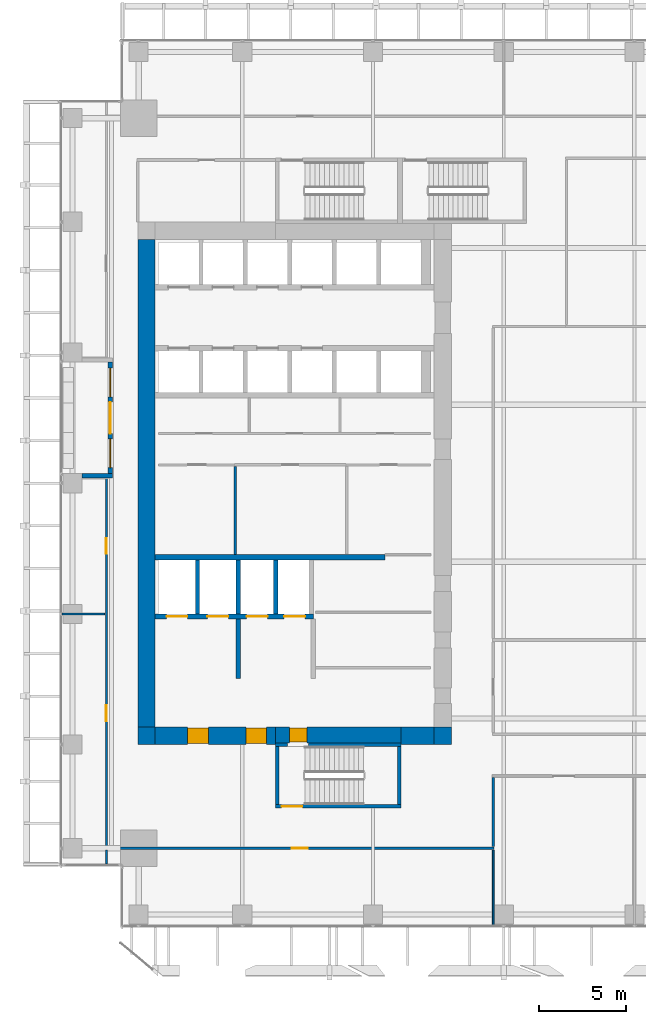
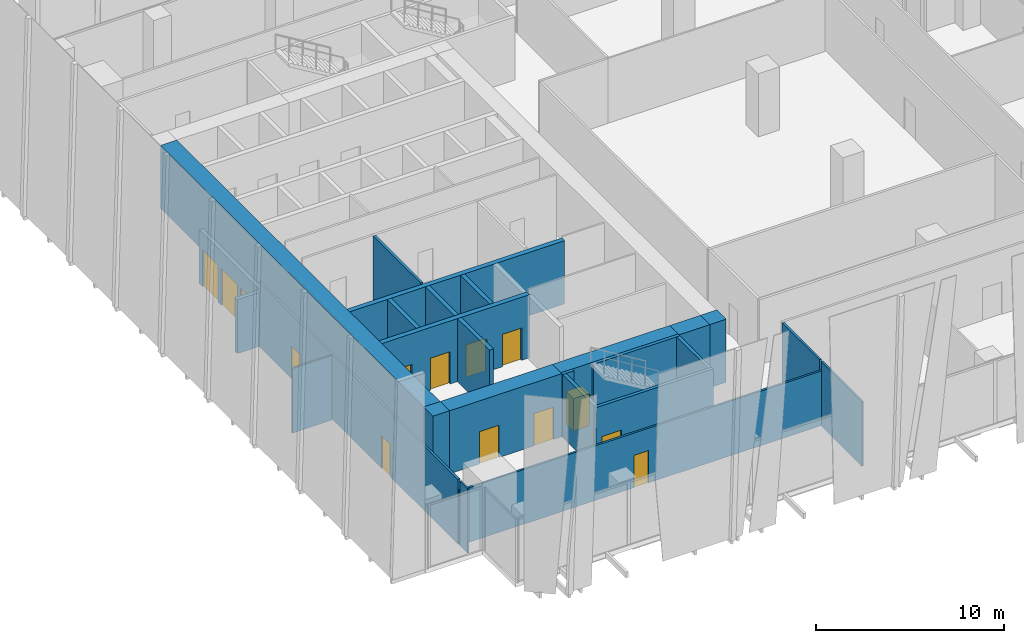
# One storey, part 27 of 35: 26 walls, 12 doors, 2 windows, 14 openings.
"""IFC4 building model written with IfcOpenShell, lengths in metres."""

from ifc_helpers import new_model, si_unit, direction, frame, frame_2d, origin, place, context, subcontext, project, spatial, rectangle, extrude, source, transform, mapped, material, layer, layer_set, type_object, element, fill, save


model = new_model("IFC4")

# Units and contexts
model_context = context("Model", 3, precision=1e-05, world=origin(), true_north=direction((0.0, 1.0)))
body_context = subcontext(model_context, "Body", "Model", "MODEL_VIEW")
ifc_project = project(units=[si_unit("LENGTHUNIT", "METRE"), si_unit("AREAUNIT", "SQUARE_METRE"), si_unit("VOLUMEUNIT", "CUBIC_METRE"), si_unit("PLANEANGLEUNIT", "RADIAN"), si_unit("MASSUNIT", "GRAM", prefix="KILO")], contexts=[model_context])

# Site, building, storey
site_placement = place(None, origin())
site = spatial("IfcSite", under=ifc_project, at=site_placement, CompositionType="ELEMENT")
building_placement = place(site_placement, origin())
building = spatial("IfcBuilding", under=site, at=building_placement, Name="Khomas Fold Tower", CompositionType="ELEMENT")
storey_placement = place(building_placement, frame((0.0, 0.0, 127.89990234375)))
storey = spatial("IfcBuildingStorey", under=building, at=storey_placement, Name="L27", CompositionType="ELEMENT", Elevation=127.89990234375)

# Wall, openings, doors
ifc_material_1 = material(Name="Concrete C70/85", Category="concrete")
ifc_layer_1 = layer(ifc_material_1, 1.0)
ifc_layer_set_1 = layer_set([ifc_layer_1], Name="Concrete C70/85")
wall_type_1 = type_object("IfcWallType", Name="Core wall 1000", PredefinedType="SHEAR", material=ifc_layer_set_1)
shared_shape_1 = source(origin(), body_context, "Body", "SweptSolid", [
    extrude(rectangle(XDim=6.89990234375, YDim=1.0, at=frame_2d((3.449951171875, 0.0))), origin(), (0.0, 0.0, 1.0), 4.10009765625),
])
wall_1_placement = place(storey_placement, frame((7.0, 12.5, 0.0), z_axis=(0.0, 0.0, 1.0), x_axis=(1.0, 0.0, 0.0)))
wall_1 = element("IfcWall", 1, at=wall_1_placement, inside=storey, type_object=wall_type_1, Name="Core wall CW-L-S-L21", PredefinedType="SHEAR", context=body_context, shape_type="MappedRepresentation", body=[
    mapped(shared_shape_1, transform((0.0, 0.0, 0.0))),
])
shared_shape_2 = source(origin(), body_context, "Body", "SweptSolid", [
    extrude(rectangle(XDim=1.199951171875, YDim=2.10009765625, at=frame_2d((0.60009765625, 1.050048828125))), frame((0.0, 0.510009765625, 0.0), z_axis=(0.0, -1.0, 0.0), x_axis=(1.0, 0.0, 0.0)), (0.0, 0.0, 1.0), 1.02001953125),
])
opening_1_placement = place(wall_1_placement, frame((5.199951171875, 0.0, 0.0)))
opening_1 = element("IfcOpeningElement", 2, at=opening_1_placement, cuts=wall_1, Name="Opening 0009", PredefinedType="OPENING", context=body_context, shape_type="MappedRepresentation", body=[
    mapped(shared_shape_2, transform((0.0, 0.0, 0.0))),
])
opening_2_placement = place(wall_1_placement, frame((1.85009765625, 0.0, 0.0)))
opening_2 = element("IfcOpeningElement", 3, at=opening_2_placement, cuts=wall_1, Name="Opening 0009", PredefinedType="OPENING", context=body_context, shape_type="MappedRepresentation", body=[
    mapped(shared_shape_2, transform((0.0, 0.0, 0.0))),
])
ifc_material_2 = material(Name="Steel door leaf", Category="steel")
door_type_1 = type_object("IfcDoorType", Name="Lobby door 1200x2100 right-hand", OperationType="SINGLE_SWING_RIGHT", PredefinedType="DOOR", material=ifc_material_2)
shared_shape_3 = source(origin(), body_context, "Body", "SweptSolid", [
    extrude(rectangle(XDim=1.199951171875, YDim=2.10009765625, at=frame_2d((0.60009765625, 1.050048828125))), frame((0.0, 0.449951171875, 0.0), z_axis=(0.0, -1.0, 0.0), x_axis=(1.0, 0.0, 0.0)), (0.0, 0.0, 1.0), 0.89990234375),
])
door_1_placement = place(opening_1_placement, origin())
door_1 = element("IfcDoor", 4, at=door_1_placement, inside=storey, type_object=door_type_1, Name="Lobby door", OperationType="SINGLE_SWING_RIGHT", OverallHeight=2.10009765625, OverallWidth=1.199951171875, PredefinedType="DOOR", context=body_context, shape_type="MappedRepresentation", body=[
    mapped(shared_shape_3, transform((0.0, 0.0, 0.0))),
])
fill(opening_1, door_1)
door_2_placement = place(opening_2_placement, origin())
door_2 = element("IfcDoor", 5, at=door_2_placement, inside=storey, type_object=door_type_1, Name="Lobby door", OperationType="SINGLE_SWING_RIGHT", OverallHeight=2.10009765625, OverallWidth=1.199951171875, PredefinedType="DOOR", context=body_context, shape_type="MappedRepresentation", body=[
    mapped(shared_shape_3, transform((0.0, 0.0, 0.0))),
])
fill(opening_2, door_2)

# Walls
ifc_material_3 = material(Name="Concrete C70/85", Category="concrete")
ifc_layer_2 = layer(ifc_material_3, 1.0)
ifc_layer_set_2 = layer_set([ifc_layer_2], Name="Concrete C70/85")
wall_type_2 = type_object("IfcWallType", Name="Core corner wall 1000", PredefinedType="SHEAR", material=ifc_layer_set_2)
shared_shape_4 = source(origin(), body_context, "Body", "SweptSolid", [
    extrude(rectangle(XDim=1.0, YDim=1.0, at=frame_2d((0.5, 0.0))), origin(), (0.0, 0.0, 1.0), 4.10009765625),
])
for number, where, z_axis, x_axis, name in (
    (6, (23.0, 12.5, 0.0), (0.0, 0.0, 1.0), (1.0, 0.0, 0.0), "Core wall CW-L-SE-L21"),
    (7, (6.0, 12.5, 0.0), (0.0, 0.0, 1.0), (1.0, 0.0, 0.0), "Core wall CW-L-SW-L21"),
):
    element("IfcWall", number, at=place(storey_placement, frame(where, z_axis=z_axis, x_axis=x_axis)), inside=storey, type_object=wall_type_2, Name=name, PredefinedType="SHEAR", context=body_context, shape_type="MappedRepresentation", body=[
        mapped(shared_shape_4, transform((0.0, 0.0, 0.0))),
    ])

# Wall, opening, door
ifc_material_4 = material(Name="Concrete C70/85", Category="concrete")
ifc_layer_3 = layer(ifc_material_4, 0.89990234375)
ifc_layer_set_3 = layer_set([ifc_layer_3], Name="Concrete C70/85")
wall_type_3 = type_object("IfcWallType", Name="Core wall 900", PredefinedType="SHEAR", material=ifc_layer_set_3)
shared_shape_5 = source(origin(), body_context, "Body", "SweptSolid", [
    extrude(rectangle(XDim=7.2001953125, YDim=0.89990234375, at=frame_2d((3.60009765625, 0.0))), origin(), (0.0, 0.0, 1.0), 4.10009765625),
])
wall_2_placement = place(storey_placement, frame((13.89990234375, 12.550048828125, 0.0), z_axis=(0.0, 0.0, 1.0), x_axis=(1.0, 0.0, 0.0)))
wall_2 = element("IfcWall", 8, at=wall_2_placement, inside=storey, type_object=wall_type_3, Name="Core wall CW-L-S-L21-1", PredefinedType="SHEAR", context=body_context, shape_type="MappedRepresentation", body=[
    mapped(shared_shape_5, transform((0.0, 0.0, 0.0))),
])
shared_shape_6 = source(origin(), body_context, "Body", "SweptSolid", [
    extrude(rectangle(XDim=1.0, YDim=2.10009765625, at=frame_2d((0.5, 1.050048828125))), frame((0.0, 0.4599609375, 0.0), z_axis=(0.0, -1.0, 0.0), x_axis=(1.0, 0.0, 0.0)), (0.0, 0.0, 1.0), 0.919921875),
])
opening_3_placement = place(wall_2_placement, frame((0.800048828125, 0.0, 0.0)))
opening_3 = element("IfcOpeningElement", 9, at=opening_3_placement, cuts=wall_2, Name="Opening 0010", PredefinedType="OPENING", context=body_context, shape_type="MappedRepresentation", body=[
    mapped(shared_shape_6, transform((0.0, 0.0, 0.0))),
])
ifc_material_5 = material(Name="Steel door leaf", Category="steel")
door_type_2 = type_object("IfcDoorType", Name="Stair door 1000x2100 right-hand", OperationType="SINGLE_SWING_RIGHT", PredefinedType="DOOR", material=ifc_material_5)
shared_shape_7 = source(origin(), body_context, "Body", "SweptSolid", [
    extrude(rectangle(XDim=1.0, YDim=2.10009765625, at=frame_2d((0.5, 1.050048828125))), frame((0.0, 0.39990234375, 0.0), z_axis=(0.0, -1.0, 0.0), x_axis=(1.0, 0.0, 0.0)), (0.0, 0.0, 1.0), 0.7998046875),
])
door_3_placement = place(opening_3_placement, origin())
door_3 = element("IfcDoor", 10, at=door_3_placement, inside=storey, type_object=door_type_2, Name="Stair door", OperationType="SINGLE_SWING_RIGHT", OverallHeight=2.10009765625, OverallWidth=1.0, PredefinedType="DOOR", context=body_context, shape_type="MappedRepresentation", body=[
    mapped(shared_shape_7, transform((0.0, 0.0, 0.0))),
])
fill(opening_3, door_3)

# Walls
shared_shape_8 = source(origin(), body_context, "Body", "SweptSolid", [
    extrude(rectangle(XDim=1.89990234375, YDim=1.0, at=frame_2d((0.949951171875, 0.0))), origin(), (0.0, 0.0, 1.0), 4.10009765625),
])
wall_3_placement = place(storey_placement, frame((21.10009765625, 12.5, 0.0), z_axis=(0.0, 0.0, 1.0), x_axis=(1.0, 0.0, 0.0)))
element("IfcWall", 11, at=wall_3_placement, inside=storey, type_object=wall_type_1, Name="Core wall CW-L-S-L21-2", PredefinedType="SHEAR", context=body_context, shape_type="MappedRepresentation", body=[
    mapped(shared_shape_8, transform((0.0, 0.0, 0.0))),
])
shared_shape_9 = source(origin(), body_context, "Body", "SweptSolid", [
    extrude(rectangle(XDim=28.0, YDim=1.0, at=frame_2d((14.0, 0.0))), origin(), (0.0, 0.0, 1.0), 4.10009765625),
])
wall_4_placement = place(storey_placement, frame((6.5, 13.0, 0.0), z_axis=(0.0, 0.0, 1.0), x_axis=(0.0, 1.0, 0.0)))
element("IfcWall", 12, at=wall_4_placement, inside=storey, type_object=wall_type_1, Name="Core wall CW-L-W-L21", PredefinedType="SHEAR", context=body_context, shape_type="MappedRepresentation", body=[
    mapped(shared_shape_9, transform((0.0, 0.0, 0.0))),
])
ifc_material_6 = material(Name="Concrete C50/60", Category="concrete")
ifc_layer_4 = layer(ifc_material_6, 0.199951171875)
ifc_layer_set_4 = layer_set([ifc_layer_4], Name="Concrete C50/60")
wall_type_4 = type_object("IfcWallType", Name="Stair wall 200", PredefinedType="SHEAR", material=ifc_layer_set_4)
shared_shape_10 = source(origin(), body_context, "Body", "SweptSolid", [
    extrude(rectangle(XDim=0.7001953125, YDim=0.199951171875, at=frame_2d((0.35009765625, 0.0))), origin(), (0.0, 0.0, 1.0), 4.10009765625),
])
wall_5_placement = place(storey_placement, frame((13.89990234375, 12.0, 0.0), z_axis=(0.0, 0.0, 1.0), x_axis=(1.0, 0.0, 0.0)))
element("IfcWall", 13, at=wall_5_placement, inside=storey, type_object=wall_type_4, Name="Stair wall SW-ST2-N", PredefinedType="SHEAR", context=body_context, shape_type="MappedRepresentation", body=[
    mapped(shared_shape_10, transform((0.0, 0.0, 0.0))),
])
shared_shape_11 = source(origin(), body_context, "Body", "SweptSolid", [
    extrude(rectangle(XDim=5.300048828125, YDim=0.199951171875, at=frame_2d((2.64990234375, 0.0))), origin(), (0.0, 0.0, 1.0), 4.10009765625),
])
wall_6_placement = place(storey_placement, frame((15.800048828125, 12.0, 0.0), z_axis=(0.0, 0.0, 1.0), x_axis=(1.0, 0.0, 0.0)))
element("IfcWall", 14, at=wall_6_placement, inside=storey, type_object=wall_type_4, Name="Stair wall SW-ST2-NB", PredefinedType="SHEAR", context=body_context, shape_type="MappedRepresentation", body=[
    mapped(shared_shape_11, transform((0.0, 0.0, 0.0))),
])

# Wall, opening, door
shared_shape_12 = source(origin(), body_context, "Body", "SweptSolid", [
    extrude(rectangle(XDim=7.2001953125, YDim=0.199951171875, at=frame_2d((3.60009765625, 0.0))), origin(), (0.0, 0.0, 1.0), 4.10009765625),
])
wall_7_placement = place(storey_placement, frame((13.89990234375, 8.449951171875, 0.0), z_axis=(0.0, 0.0, 1.0), x_axis=(1.0, 0.0, 0.0)))
wall_7 = element("IfcWall", 15, at=wall_7_placement, inside=storey, type_object=wall_type_4, Name="Stair wall SW-ST2-S", PredefinedType="SHEAR", context=body_context, shape_type="MappedRepresentation", body=[
    mapped(shared_shape_12, transform((0.0, 0.0, 0.0))),
])
shared_shape_13 = source(origin(), body_context, "Body", "SweptSolid", [
    extrude(rectangle(XDim=1.199951171875, YDim=2.10009765625, at=frame_2d((0.60009765625, 1.050048828125))), frame((0.0, 0.10986328125, 0.0), z_axis=(0.0, -1.0, 0.0), x_axis=(1.0, 0.0, 0.0)), (0.0, 0.0, 1.0), 0.219970703125),
])
opening_4_placement = place(wall_7_placement, frame((0.35009765625, 0.0, 0.0)))
opening_4 = element("IfcOpeningElement", 16, at=opening_4_placement, cuts=wall_7, Name="Opening SD-ST2", PredefinedType="OPENING", context=body_context, shape_type="MappedRepresentation", body=[
    mapped(shared_shape_13, transform((0.0, 0.0, 0.0))),
])
ifc_material_7 = material(Name="Steel door leaf", Category="steel")
door_type_3 = type_object("IfcDoorType", Name="Stair door 1200x2100 right-hand", OperationType="SINGLE_SWING_RIGHT", PredefinedType="DOOR", material=ifc_material_7)
shared_shape_14 = source(origin(), body_context, "Body", "SweptSolid", [
    extrude(rectangle(XDim=1.199951171875, YDim=2.10009765625, at=frame_2d((0.60009765625, 1.050048828125))), frame((0.0, 0.02490234375, 0.0), z_axis=(0.0, -1.0, 0.0), x_axis=(1.0, 0.0, 0.0)), (0.0, 0.0, 1.0), 0.050048828125),
])
door_4_placement = place(opening_4_placement, origin())
door_4 = element("IfcDoor", 17, at=door_4_placement, inside=storey, type_object=door_type_3, Name="Stair door", OperationType="SINGLE_SWING_RIGHT", OverallHeight=2.10009765625, OverallWidth=1.199951171875, PredefinedType="DOOR", context=body_context, shape_type="MappedRepresentation", body=[
    mapped(shared_shape_14, transform((0.0, 0.0, 0.0))),
])
fill(opening_4, door_4)

# Walls
shared_shape_15 = source(origin(), body_context, "Body", "SweptSolid", [
    extrude(rectangle(XDim=3.349853515625, YDim=0.199951171875, at=frame_2d((1.6748046875, 0.0))), origin(), (0.0, 0.0, 1.0), 4.10009765625),
])
for number, where, z_axis, x_axis, name in (
    (18, (21.0, 8.550048828125, 0.0), (0.0, 0.0, 1.0), (0.0, 1.0, 0.0), "Stair wall SW-ST2-E"),
    (19, (14.0, 8.550048828125, 0.0), (0.0, 0.0, 1.0), (0.0, 1.0, 0.0), "Stair wall SW-ST2-W"),
):
    element("IfcWall", number, at=place(storey_placement, frame(where, z_axis=z_axis, x_axis=x_axis)), inside=storey, type_object=wall_type_4, Name=name, PredefinedType="SHEAR", context=body_context, shape_type="MappedRepresentation", body=[
        mapped(shared_shape_15, transform((0.0, 0.0, 0.0))),
    ])
ifc_material_8 = material(Name="Concrete C50/60", Category="concrete")
ifc_layer_5 = layer(ifc_material_8, 0.300048828125)
ifc_layer_set_5 = layer_set([ifc_layer_5], Name="Concrete C50/60")
wall_type_5 = type_object("IfcWallType", Name="Shaft wall 300", PredefinedType="STANDARD", material=ifc_layer_set_5)
shared_shape_16 = source(origin(), body_context, "Body", "SweptSolid", [
    extrude(rectangle(XDim=13.199951171875, YDim=0.300048828125, at=frame_2d((6.60009765625, 0.0))), origin(), (0.0, 0.0, 1.0), 4.10009765625),
])
wall_8_placement = place(storey_placement, frame((7.0, 22.75, 0.0), z_axis=(0.0, 0.0, 1.0), x_axis=(1.0, 0.0, 0.0)))
element("IfcWall", 20, at=wall_8_placement, inside=storey, type_object=wall_type_5, Name="Core wall SW-FS-B", PredefinedType="STANDARD", context=body_context, shape_type="MappedRepresentation", body=[
    mapped(shared_shape_16, transform((0.0, 0.0, 0.0))),
])

# Wall, openings, doors
shared_shape_17 = source(origin(), body_context, "Body", "SweptSolid", [
    extrude(rectangle(XDim=9.074951171875, YDim=0.300048828125, at=frame_2d((4.53759765625, 0.0))), origin(), (0.0, 0.0, 1.0), 4.10009765625),
])
wall_9_placement = place(storey_placement, frame((7.0, 19.35009765625, 0.0), z_axis=(0.0, 0.0, 1.0), x_axis=(1.0, 0.0, 0.0)))
wall_9 = element("IfcWall", 21, at=wall_9_placement, inside=storey, type_object=wall_type_5, Name="Core wall SW-FS-F", PredefinedType="STANDARD", context=body_context, shape_type="MappedRepresentation", body=[
    mapped(shared_shape_17, transform((0.0, 0.0, 0.0))),
])
shared_shape_18 = source(origin(), body_context, "Body", "SweptSolid", [
    extrude(rectangle(XDim=1.199951171875, YDim=2.10009765625, at=frame_2d((0.60009765625, 1.050048828125))), frame((0.0, 0.159912109375, 0.0), z_axis=(0.0, -1.0, 0.0), x_axis=(1.0, 0.0, 0.0)), (0.0, 0.0, 1.0), 0.320068359375),
])
opening_5_placement = place(wall_9_placement, frame((0.64990234375, 0.0, 0.0)))
opening_5 = element("IfcOpeningElement", 22, at=opening_5_placement, cuts=wall_9, Name="Opening LD-SV1", PredefinedType="OPENING", context=body_context, shape_type="MappedRepresentation", body=[
    mapped(shared_shape_18, transform((0.0, 0.0, 0.0))),
])
opening_6_placement = place(wall_9_placement, frame((3.0, 0.0, 0.0)))
opening_6 = element("IfcOpeningElement", 23, at=opening_6_placement, cuts=wall_9, Name="Opening LD-SV2", PredefinedType="OPENING", context=body_context, shape_type="MappedRepresentation", body=[
    mapped(shared_shape_18, transform((0.0, 0.0, 0.0))),
])
opening_7_placement = place(wall_9_placement, frame((5.25, 0.0, 0.0)))
opening_7 = element("IfcOpeningElement", 24, at=opening_7_placement, cuts=wall_9, Name="Opening LD-FF1", PredefinedType="OPENING", context=body_context, shape_type="MappedRepresentation", body=[
    mapped(shared_shape_18, transform((0.0, 0.0, 0.0))),
])
opening_8_placement = place(wall_9_placement, frame((7.39990234375, 0.0, 0.0)))
opening_8 = element("IfcOpeningElement", 25, at=opening_8_placement, cuts=wall_9, Name="Opening LD-FF2", PredefinedType="OPENING", context=body_context, shape_type="MappedRepresentation", body=[
    mapped(shared_shape_18, transform((0.0, 0.0, 0.0))),
])
ifc_material_9 = material(Name="Steel door leaf", Category="steel")
door_type_4 = type_object("IfcDoorType", Name="Landing door 1200x2100", OperationType="DOUBLE_DOOR_SLIDING", PredefinedType="DOOR", material=ifc_material_9)
door_5_placement = place(opening_5_placement, origin())
door_5 = element("IfcDoor", 26, at=door_5_placement, inside=storey, type_object=door_type_4, Name="Lift landing door", OperationType="DOUBLE_DOOR_SLIDING", OverallHeight=2.10009765625, OverallWidth=1.199951171875, PredefinedType="DOOR", context=body_context, shape_type="MappedRepresentation", body=[
    mapped(shared_shape_14, transform((0.0, 0.0, 0.0))),
])
fill(opening_5, door_5)
door_6_placement = place(opening_6_placement, origin())
door_6 = element("IfcDoor", 27, at=door_6_placement, inside=storey, type_object=door_type_4, Name="Lift landing door", OperationType="DOUBLE_DOOR_SLIDING", OverallHeight=2.10009765625, OverallWidth=1.199951171875, PredefinedType="DOOR", context=body_context, shape_type="MappedRepresentation", body=[
    mapped(shared_shape_14, transform((0.0, 0.0, 0.0))),
])
fill(opening_6, door_6)
door_7_placement = place(opening_7_placement, origin())
door_7 = element("IfcDoor", 28, at=door_7_placement, inside=storey, type_object=door_type_4, Name="Lift landing door", OperationType="DOUBLE_DOOR_SLIDING", OverallHeight=2.10009765625, OverallWidth=1.199951171875, PredefinedType="DOOR", context=body_context, shape_type="MappedRepresentation", body=[
    mapped(shared_shape_14, transform((0.0, 0.0, 0.0))),
])
fill(opening_7, door_7)
door_8_placement = place(opening_8_placement, origin())
door_8 = element("IfcDoor", 29, at=door_8_placement, inside=storey, type_object=door_type_4, Name="Lift landing door", OperationType="DOUBLE_DOOR_SLIDING", OverallHeight=2.10009765625, OverallWidth=1.199951171875, PredefinedType="DOOR", context=body_context, shape_type="MappedRepresentation", body=[
    mapped(shared_shape_14, transform((0.0, 0.0, 0.0))),
])
fill(opening_8, door_8)

# Walls
ifc_material_10 = material(Name="Concrete C50/60", Category="concrete")
ifc_layer_6 = layer(ifc_material_10, 0.25)
ifc_layer_set_6 = layer_set([ifc_layer_6], Name="Concrete C50/60")
wall_type_6 = type_object("IfcWallType", Name="Shaft wall 250", PredefinedType="STANDARD", material=ifc_layer_set_6)
shared_shape_19 = source(origin(), body_context, "Body", "SweptSolid", [
    extrude(rectangle(XDim=3.10009765625, YDim=0.25, at=frame_2d((1.550048828125, 0.0))), origin(), (0.0, 0.0, 1.0), 4.10009765625),
])
for number, where, z_axis, x_axis, name in (
    (30, (9.425048828125, 19.5, 0.0), (0.0, 0.0, 1.0), (0.0, 1.0, 0.0), "Core wall SW-FS-P1"),
    (31, (11.77490234375, 19.5, 0.0), (0.0, 0.0, 1.0), (0.0, 1.0, 0.0), "Core wall SW-FS-P2"),
    (32, (13.925048828125, 19.5, 0.0), (0.0, 0.0, 1.0), (0.0, 1.0, 0.0), "Core wall SW-FS-P3"),
):
    element("IfcWall", number, at=place(storey_placement, frame(where, z_axis=z_axis, x_axis=x_axis)), inside=storey, type_object=wall_type_6, Name=name, PredefinedType="STANDARD", context=body_context, shape_type="MappedRepresentation", body=[
        mapped(shared_shape_19, transform((0.0, 0.0, 0.0))),
    ])
ifc_material_11 = material(Name="Concrete C50/60", Category="concrete")
ifc_layer_7 = layer(ifc_material_11, 0.25)
ifc_layer_set_7 = layer_set([ifc_layer_7], Name="Concrete C50/60")
wall_type_7 = type_object("IfcWallType", Name="Lobby wall 250", PredefinedType="STANDARD", material=ifc_layer_set_7)
shared_shape_20 = source(origin(), body_context, "Body", "SweptSolid", [
    extrude(rectangle(XDim=3.39990234375, YDim=0.25, at=frame_2d((1.699951171875, 0.0))), origin(), (0.0, 0.0, 1.0), 4.10009765625),
])
wall_10_placement = place(storey_placement, frame((11.77490234375, 15.800048828125, 0.0), z_axis=(0.0, 0.0, 1.0), x_axis=(0.0, 1.0, 0.0)))
element("IfcWall", 33, at=wall_10_placement, inside=storey, type_object=wall_type_7, Name="Core wall SW-FS-SEP", PredefinedType="STANDARD", context=body_context, shape_type="MappedRepresentation", body=[
    mapped(shared_shape_20, transform((0.0, 0.0, 0.0))),
])

# Wall, openings, door, windows
ifc_material_12 = material(Name="Natural stone", Category="masonry")
ifc_layer_8 = layer(ifc_material_12, 0.0400390625)
ifc_material_13 = material(Name="Mineral wool insulation", Category="insulation")
ifc_layer_9 = layer(ifc_material_13, 0.10009765625)
ifc_material_14 = material(Name="Masonry", Category="masonry")
ifc_layer_10 = layer(ifc_material_14, 0.110107421875)
ifc_layer_set_8 = layer_set([ifc_layer_8, ifc_layer_9, ifc_layer_10], Name="Stone-faced insulated masonry")
wall_type_8 = type_object("IfcWallType", Name="BL-Balcony wall", PredefinedType="SOLIDWALL", material=ifc_layer_set_8)
shared_shape_21 = source(origin(), body_context, "Body", "SweptSolid", [
    extrude(rectangle(XDim=6.39990234375, YDim=0.25, at=frame_2d((3.199951171875, 0.0))), origin(), (0.0, 0.0, 1.0), 3.5),
])
wall_11_placement = place(storey_placement, frame((4.425048828125, 27.550048828125, 0.0), z_axis=(0.0, 0.0, 1.0), x_axis=(0.0, 1.0, 0.0)))
wall_11 = element("IfcWall", 34, at=wall_11_placement, inside=storey, type_object=wall_type_8, Name="Balcony wall BAL-L27-W3", PredefinedType="SOLIDWALL", context=body_context, shape_type="MappedRepresentation", body=[
    mapped(shared_shape_21, transform((0.0, 0.0, 0.0))),
])
shared_shape_22 = source(origin(), body_context, "Body", "SweptSolid", [
    extrude(rectangle(XDim=1.64990234375, YDim=2.39990234375, at=frame_2d((0.824951171875, 1.199951171875))), frame((0.0, 0.135009765625, 0.0), z_axis=(0.0, -1.0, 0.0), x_axis=(1.0, 0.0, 0.0)), (0.0, 0.0, 1.0), 0.27001953125),
])
opening_9_placement = place(wall_11_placement, frame((0.35009765625, 0.0, 0.0)))
opening_9 = element("IfcOpeningElement", 35, at=opening_9_placement, cuts=wall_11, Name="Opening BL-W2", PredefinedType="OPENING", context=body_context, shape_type="MappedRepresentation", body=[
    mapped(shared_shape_22, transform((0.0, 0.0, 0.0))),
])
opening_10_placement = place(wall_11_placement, frame((4.39990234375, 0.0, 0.0)))
opening_10 = element("IfcOpeningElement", 36, at=opening_10_placement, cuts=wall_11, Name="Opening BL-W2", PredefinedType="OPENING", context=body_context, shape_type="MappedRepresentation", body=[
    mapped(shared_shape_22, transform((0.0, 0.0, 0.0))),
])
shared_shape_23 = source(origin(), body_context, "Body", "SweptSolid", [
    extrude(rectangle(XDim=1.800048828125, YDim=2.39990234375, at=frame_2d((0.89990234375, 1.199951171875))), frame((0.0, 0.135009765625, 0.0), z_axis=(0.0, -1.0, 0.0), x_axis=(1.0, 0.0, 0.0)), (0.0, 0.0, 1.0), 0.27001953125),
])
opening_11_placement = place(wall_11_placement, frame((2.300048828125, 0.0, 0.0)))
opening_11 = element("IfcOpeningElement", 37, at=opening_11_placement, cuts=wall_11, Name="Opening BD272", PredefinedType="OPENING", context=body_context, shape_type="MappedRepresentation", body=[
    mapped(shared_shape_23, transform((0.0, 0.0, 0.0))),
])
ifc_material_15 = material(Name="Aluminium framed double glazing", Category="aluminium")
door_type_5 = type_object("IfcDoorType", Name="BL-Glazed balcony door 1800 x 2400", OperationType="DOUBLE_DOOR_DOUBLE_SWING", PredefinedType="DOOR", material=ifc_material_15)
shared_shape_24 = source(origin(), body_context, "Body", "SweptSolid", [
    extrude(rectangle(XDim=1.800048828125, YDim=2.39990234375, at=frame_2d((0.89990234375, 1.199951171875))), frame((0.0, 0.02490234375, 0.0), z_axis=(0.0, -1.0, 0.0), x_axis=(1.0, 0.0, 0.0)), (0.0, 0.0, 1.0), 0.050048828125),
])
door_9_placement = place(opening_11_placement, origin())
door_9 = element("IfcDoor", 38, at=door_9_placement, inside=storey, type_object=door_type_5, Name="Balcony door BD272", OperationType="DOUBLE_DOOR_DOUBLE_SWING", OverallHeight=2.39990234375, OverallWidth=1.800048828125, PredefinedType="DOOR", context=body_context, shape_type="MappedRepresentation", body=[
    mapped(shared_shape_24, transform((0.0, 0.0, 0.0))),
])
fill(opening_11, door_9)
ifc_material_16 = material(Name="Aluminium framed double glazing", Category="aluminium")
window_type = type_object("IfcWindowType", Name="BL-Fixed glazing 1650 x 2400", PartitioningType="SINGLE_PANEL", PredefinedType="WINDOW", material=ifc_material_16)
shared_shape_25 = source(origin(), body_context, "Body", "SweptSolid", [
    extrude(rectangle(XDim=1.64990234375, YDim=2.39990234375, at=frame_2d((0.824951171875, 1.199951171875))), frame((0.0, 0.030029296875, 0.0), z_axis=(0.0, -1.0, 0.0), x_axis=(1.0, 0.0, 0.0)), (0.0, 0.0, 1.0), 0.06005859375),
])
window_1_placement = place(opening_9_placement, origin())
window_1 = element("IfcWindow", 39, at=window_1_placement, inside=storey, type_object=window_type, Name="Balcony glazing BAL-L27-W3-1", OverallHeight=2.39990234375, OverallWidth=1.64990234375, PartitioningType="SINGLE_PANEL", PredefinedType="WINDOW", context=body_context, shape_type="MappedRepresentation", body=[
    mapped(shared_shape_25, transform((0.0, 0.0, 0.0))),
])
fill(opening_9, window_1)
window_2_placement = place(opening_10_placement, origin())
window_2 = element("IfcWindow", 40, at=window_2_placement, inside=storey, type_object=window_type, Name="Balcony glazing BAL-L27-W3-2", OverallHeight=2.39990234375, OverallWidth=1.64990234375, PartitioningType="SINGLE_PANEL", PredefinedType="WINDOW", context=body_context, shape_type="MappedRepresentation", body=[
    mapped(shared_shape_25, transform((0.0, 0.0, 0.0))),
])
fill(opening_10, window_2)

# Wall
shared_shape_26 = source(origin(), body_context, "Body", "SweptSolid", [
    extrude(rectangle(XDim=1.75, YDim=0.25, at=frame_2d((0.875, 0.0))), origin(), (0.0, 0.0, 1.0), 3.5),
])
wall_12_placement = place(storey_placement, frame((2.800048828125, 27.425048828125, 0.0), z_axis=(0.0, 0.0, 1.0), x_axis=(1.0, 0.0, 0.0)))
element("IfcWall", 41, at=wall_12_placement, inside=storey, type_object=wall_type_8, Name="Balcony return wall BAL-L27-W3-lo", PredefinedType="SOLIDWALL", context=body_context, shape_type="MappedRepresentation", body=[
    mapped(shared_shape_26, transform((0.0, 0.0, 0.0))),
])

# Wall, opening, door
ifc_material_17 = material(Name="Plasterboard partition")
ifc_layer_11 = layer(ifc_material_17, 0.125)
ifc_layer_set_9 = layer_set([ifc_layer_11], Name="Plasterboard partition")
wall_type_9 = type_object("IfcWallType", Name="Partition PW2 125", PredefinedType="PARTITIONING", material=ifc_layer_set_9)
shared_shape_27 = source(origin(), body_context, "Body", "SweptSolid", [
    extrude(rectangle(XDim=22.300048828125, YDim=0.125, at=frame_2d((11.14990234375, 0.0))), origin(), (0.0, 0.0, 1.0), 3.550048828125),
])
wall_13_placement = place(storey_placement, frame((4.14990234375, 6.050048828125, 0.0), z_axis=(0.0, 0.0, 1.0), x_axis=(1.0, 0.0, 0.0)))
wall_13 = element("IfcWall", 42, at=wall_13_placement, inside=storey, type_object=wall_type_9, Name="Partition", PredefinedType="PARTITIONING", context=body_context, shape_type="MappedRepresentation", body=[
    mapped(shared_shape_27, transform((0.0, 0.0, 0.0))),
])
shared_shape_28 = source(origin(), body_context, "Body", "SweptSolid", [
    extrude(rectangle(XDim=0.89990234375, YDim=2.10009765625, at=frame_2d((0.449951171875, 1.050048828125))), frame((0.0, 0.072509765625, 0.0), z_axis=(0.0, -1.0, 0.0), x_axis=(1.0, 0.0, 0.0)), (0.0, 0.0, 1.0), 0.14501953125),
])
opening_12_placement = place(wall_13_placement, frame((10.699951171875, 0.0, 0.0)))
opening_12 = element("IfcOpeningElement", 43, at=opening_12_placement, cuts=wall_13, Name="Opening 0008", PredefinedType="OPENING", context=body_context, shape_type="MappedRepresentation", body=[
    mapped(shared_shape_28, transform((0.0, 0.0, 0.0))),
])
ifc_material_18 = material(Name="Timber door leaf", Category="wood")
door_type_6 = type_object("IfcDoorType", Name="Door 900x2100 right-hand", OperationType="SINGLE_SWING_RIGHT", PredefinedType="DOOR", material=ifc_material_18)
shared_shape_29 = source(origin(), body_context, "Body", "SweptSolid", [
    extrude(rectangle(XDim=0.89990234375, YDim=2.10009765625, at=frame_2d((0.449951171875, 1.050048828125))), frame((0.0, 0.02490234375, 0.0), z_axis=(0.0, -1.0, 0.0), x_axis=(1.0, 0.0, 0.0)), (0.0, 0.0, 1.0), 0.050048828125),
])
door_10_placement = place(opening_12_placement, origin())
door_10 = element("IfcDoor", 44, at=door_10_placement, inside=storey, type_object=door_type_6, Name="Door", OperationType="SINGLE_SWING_RIGHT", OverallHeight=2.10009765625, OverallWidth=0.89990234375, PredefinedType="DOOR", context=body_context, shape_type="MappedRepresentation", body=[
    mapped(shared_shape_29, transform((0.0, 0.0, 0.0))),
])
fill(opening_12, door_10)

# Walls
ifc_material_19 = material(Name="Plasterboard partition")
ifc_layer_12 = layer(ifc_material_19, 0.10009765625)
ifc_layer_set_10 = layer_set([ifc_layer_12], Name="Plasterboard partition")
wall_type_10 = type_object("IfcWallType", Name="Partition PW1 100", PredefinedType="PARTITIONING", material=ifc_layer_set_10)
shared_shape_30 = source(origin(), body_context, "Body", "SweptSolid", [
    extrude(rectangle(XDim=4.300048828125, YDim=0.10009765625, at=frame_2d((2.14990234375, 0.0))), origin(), (0.0, 0.0, 1.0), 4.2001953125),
])
wall_14_placement = place(storey_placement, frame((26.39990234375, 1.64990234375, 0.0), z_axis=(0.0, 0.0, 1.0), x_axis=(0.0, 1.0, 0.0)))
element("IfcWall", 45, at=wall_14_placement, inside=storey, type_object=wall_type_10, Name="Partition", PredefinedType="PARTITIONING", context=body_context, shape_type="MappedRepresentation", body=[
    mapped(shared_shape_30, transform((0.0, 0.0, 0.0))),
])
shared_shape_31 = source(origin(), body_context, "Body", "SweptSolid", [
    extrude(rectangle(XDim=0.800048828125, YDim=0.10009765625, at=frame_2d((0.39990234375, 0.0))), origin(), (0.0, 0.0, 1.0), 4.2001953125),
])
wall_15_placement = place(storey_placement, frame((4.199951171875, 5.14990234375, 0.0), z_axis=(0.0, 0.0, 1.0), x_axis=(0.0, 1.0, 0.0)))
element("IfcWall", 46, at=wall_15_placement, inside=storey, type_object=wall_type_10, Name="Partition", PredefinedType="PARTITIONING", context=body_context, shape_type="MappedRepresentation", body=[
    mapped(shared_shape_31, transform((0.0, 0.0, 0.0))),
])
shared_shape_32 = source(origin(), body_context, "Body", "SweptSolid", [
    extrude(rectangle(XDim=3.9501953125, YDim=0.125, at=frame_2d((1.97509765625, 0.0))), origin(), (0.0, 0.0, 1.0), 4.2001953125),
])
wall_16_placement = place(storey_placement, frame((26.39990234375, 6.14990234375, 0.0), z_axis=(0.0, 0.0, 1.0), x_axis=(0.0, 1.0, 0.0)))
element("IfcWall", 47, at=wall_16_placement, inside=storey, type_object=wall_type_9, Name="Partition", PredefinedType="PARTITIONING", context=body_context, shape_type="MappedRepresentation", body=[
    mapped(shared_shape_32, transform((0.0, 0.0, 0.0))),
])
shared_shape_33 = source(origin(), body_context, "Body", "SweptSolid", [
    extrude(rectangle(XDim=2.4501953125, YDim=0.10009765625, at=frame_2d((1.22509765625, 0.0))), origin(), (0.0, 0.0, 1.0), 4.2001953125),
])
wall_17_placement = place(storey_placement, frame((1.64990234375, 19.5, 0.0), z_axis=(0.0, 0.0, 1.0), x_axis=(1.0, 0.0, 0.0)))
element("IfcWall", 48, at=wall_17_placement, inside=storey, type_object=wall_type_10, Name="Partition", PredefinedType="PARTITIONING", context=body_context, shape_type="MappedRepresentation", body=[
    mapped(shared_shape_33, transform((0.0, 0.0, 0.0))),
])

# Wall, openings, doors
shared_shape_34 = source(origin(), body_context, "Body", "SweptSolid", [
    extrude(rectangle(XDim=21.150146484375, YDim=0.125, at=frame_2d((10.5751953125, 0.0))), origin(), (0.0, 0.0, 1.0), 4.2001953125),
])
wall_18_placement = place(storey_placement, frame((4.199951171875, 6.14990234375, 0.0), z_axis=(0.0, 0.0, 1.0), x_axis=(0.0, 1.0, 0.0)))
wall_18 = element("IfcWall", 49, at=wall_18_placement, inside=storey, type_object=wall_type_9, Name="Partition", PredefinedType="PARTITIONING", context=body_context, shape_type="MappedRepresentation", body=[
    mapped(shared_shape_34, transform((0.0, 0.0, 0.0))),
])
opening_13_placement = place(wall_18_placement, frame((7.199951171875, 0.0, 0.0)))
opening_13 = element("IfcOpeningElement", 50, at=opening_13_placement, cuts=wall_18, Name="Opening 0008", PredefinedType="OPENING", context=body_context, shape_type="MappedRepresentation", body=[
    mapped(shared_shape_28, transform((0.0, 0.0, 0.0))),
])
opening_14_placement = place(wall_18_placement, frame((16.800048828125, 0.0, 0.0)))
opening_14 = element("IfcOpeningElement", 51, at=opening_14_placement, cuts=wall_18, Name="Opening 0008", PredefinedType="OPENING", context=body_context, shape_type="MappedRepresentation", body=[
    mapped(shared_shape_28, transform((0.0, 0.0, 0.0))),
])
door_11_placement = place(opening_13_placement, origin())
door_11 = element("IfcDoor", 52, at=door_11_placement, inside=storey, type_object=door_type_6, Name="Door", OperationType="SINGLE_SWING_RIGHT", OverallHeight=2.10009765625, OverallWidth=0.89990234375, PredefinedType="DOOR", context=body_context, shape_type="MappedRepresentation", body=[
    mapped(shared_shape_29, transform((0.0, 0.0, 0.0))),
])
fill(opening_13, door_11)
door_12_placement = place(opening_14_placement, origin())
door_12 = element("IfcDoor", 53, at=door_12_placement, inside=storey, type_object=door_type_6, Name="Door", OperationType="SINGLE_SWING_RIGHT", OverallHeight=2.10009765625, OverallWidth=0.89990234375, PredefinedType="DOOR", context=body_context, shape_type="MappedRepresentation", body=[
    mapped(shared_shape_29, transform((0.0, 0.0, 0.0))),
])
fill(opening_14, door_12)

# Wall
ifc_material_20 = material(Name="Plasterboard fire partition")
ifc_layer_13 = layer(ifc_material_20, 0.14990234375)
ifc_layer_set_11 = layer_set([ifc_layer_13], Name="Plasterboard fire partition")
wall_type_11 = type_object("IfcWallType", Name="Plant room wall PW3 150", PredefinedType="PARTITIONING", material=ifc_layer_set_11)
shared_shape_35 = source(origin(), body_context, "Body", "SweptSolid", [
    extrude(rectangle(XDim=5.050048828125, YDim=0.14990234375, at=frame_2d((2.52490234375, 0.0))), origin(), (0.0, 0.0, 1.0), 4.2001953125),
])
wall_19_placement = place(storey_placement, frame((11.60009765625, 22.89990234375, 0.0), z_axis=(0.0, 0.0, 1.0), x_axis=(0.0, 1.0, 0.0)))
element("IfcWall", 54, at=wall_19_placement, inside=storey, type_object=wall_type_11, Name="Plant room wall", PredefinedType="PARTITIONING", context=body_context, shape_type="MappedRepresentation", body=[
    mapped(shared_shape_35, transform((0.0, 0.0, 0.0))),
])

save(model, "model.ifc")
